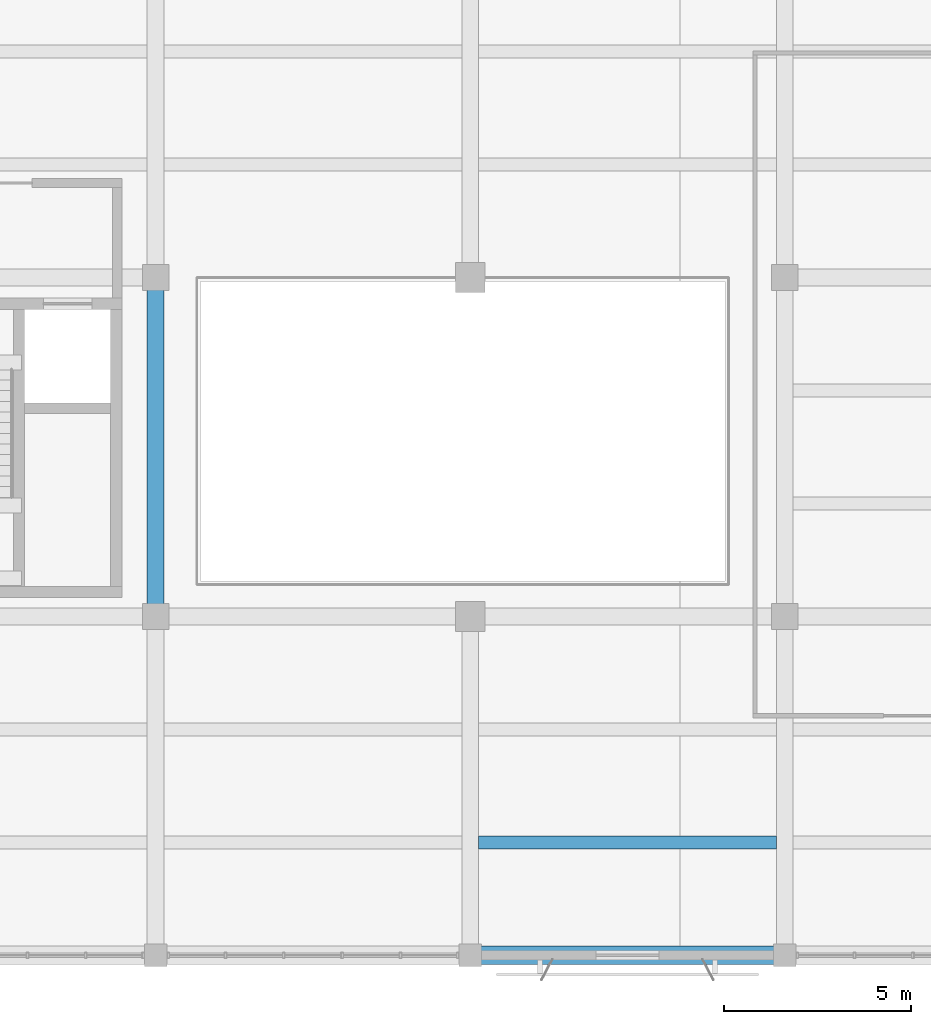
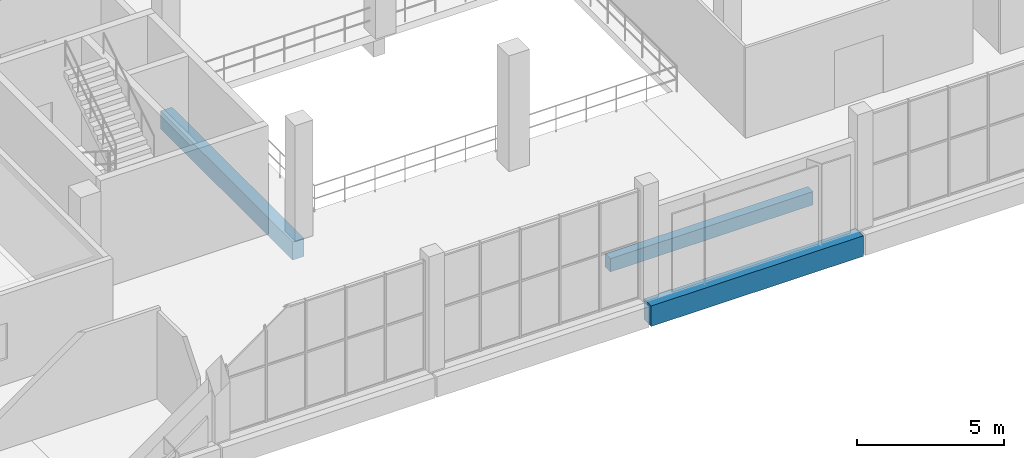
# One storey, part 15 of 80: 3 beams.
"""IFC4 building model written with IfcOpenShell, lengths in metres."""

from ifc_helpers import new_model, si_unit, direction, frame, origin, origin_2d, place, context, subcontext, project, spatial, rectangle, extrude, material, material_profile, profile_set, type_object, element, save


model = new_model("IFC4")

# Units and contexts
model_context = context("Model", 3, precision=1e-05, world=origin(), true_north=direction((0.0, 1.0)))
body_context = subcontext(model_context, "Body", "Model", "MODEL_VIEW")
ifc_project = project(units=[si_unit("LENGTHUNIT", "METRE"), si_unit("AREAUNIT", "SQUARE_METRE"), si_unit("VOLUMEUNIT", "CUBIC_METRE"), si_unit("PLANEANGLEUNIT", "RADIAN"), si_unit("MASSUNIT", "GRAM", prefix="KILO")], contexts=[model_context])

# Site, building, storey
site_placement = place(None, origin())
site = spatial("IfcSite", under=ifc_project, at=site_placement, CompositionType="ELEMENT")
building_placement = place(site_placement, origin())
building = spatial("IfcBuilding", under=site, at=building_placement, Name="Khurvash Pelagic Aquarium", CompositionType="ELEMENT")
storey_placement = place(building_placement, frame((0.0, 0.0, 10.800048828125)))
storey = spatial("IfcBuildingStorey", under=building, at=storey_placement, Name="L02", CompositionType="ELEMENT", Elevation=10.800048828125)

# Beams
ifc_material_1 = material(Name="Concrete C35/45", Category="concrete")
ifc_material_profile_1 = material_profile(ifc_material_1, rectangle(XDim=0.449951171875, YDim=0.75, at=origin_2d()), Name="RC450X750")
ifc_profile_set_1 = profile_set([ifc_material_profile_1], Name="Concrete C35/45")
beam_type_1 = type_object("IfcBeamType", Name="BM-04", PredefinedType="BEAM", material=ifc_profile_set_1)
beam_1_placement = place(storey_placement, frame((67.199951171875, 11.68994140625, -0.675048828125), z_axis=(0.0, 1.0, 0.0), x_axis=(-1.0, 0.0, 0.0)))
element("IfcBeam", 1, at=beam_1_placement, inside=storey, type_object=beam_type_1, Name="L02 Primary Girder BM-04 00687", PredefinedType="BEAM", context=body_context, shape_type="SweptSolid", body=[
    extrude(rectangle(XDim=0.449951171875, YDim=0.75, at=origin_2d()), origin(), (0.0, 0.0, 1.0), 8.969970703125),
])
ifc_material_profile_2 = material_profile(ifc_material_1, rectangle(XDim=0.35009765625, YDim=0.550048828125, at=origin_2d()), Name="RC350X550")
ifc_profile_set_2 = profile_set([ifc_material_profile_2], Name="Concrete C35/45")
beam_type_2 = type_object("IfcBeamType", Name="JS-01", PredefinedType="JOIST", material=ifc_profile_set_2)
beam_2_placement = place(storey_placement, frame((75.824951171875, 5.616943359375, -0.574951171875), z_axis=(1.0, 0.0, 0.0), x_axis=(0.0, 1.0, 0.0)))
element("IfcBeam", 2, at=beam_2_placement, inside=storey, type_object=beam_type_2, Name="L02 Floor Joist JS-01 00787", PredefinedType="JOIST", context=body_context, shape_type="SweptSolid", body=[
    extrude(rectangle(XDim=0.35009765625, YDim=0.550048828125, at=origin_2d()), origin(), (0.0, 0.0, 1.0), 7.949951171875),
])
ifc_material_2 = material(Name="Concrete C40/50", Category="concrete")
ifc_material_profile_3 = material_profile(ifc_material_2, rectangle(XDim=0.5, YDim=0.85009765625, at=origin_2d()), Name="RC500X850")
ifc_profile_set_3 = profile_set([ifc_material_profile_3], Name="Concrete C40/50")
beam_type_3 = type_object("IfcBeamType", Name="SEB-03", PredefinedType="SPANDREL", material=ifc_profile_set_3)
beam_3_placement = place(storey_placement, frame((75.639892578125, 2.60009765625, -0.7451171875), z_axis=(1.0, 0.0, 0.0), x_axis=(0.0, 1.0, 0.0)))
element("IfcBeam", 3, at=beam_3_placement, inside=storey, type_object=beam_type_3, Name="L02 Primary Girder SEB-03 00568", PredefinedType="SPANDREL", context=body_context, shape_type="SweptSolid", body=[
    extrude(rectangle(XDim=0.5, YDim=0.85009765625, at=origin_2d()), origin(), (0.0, 0.0, 1.0), 8.320068359375),
])

save(model, "model.ifc")
